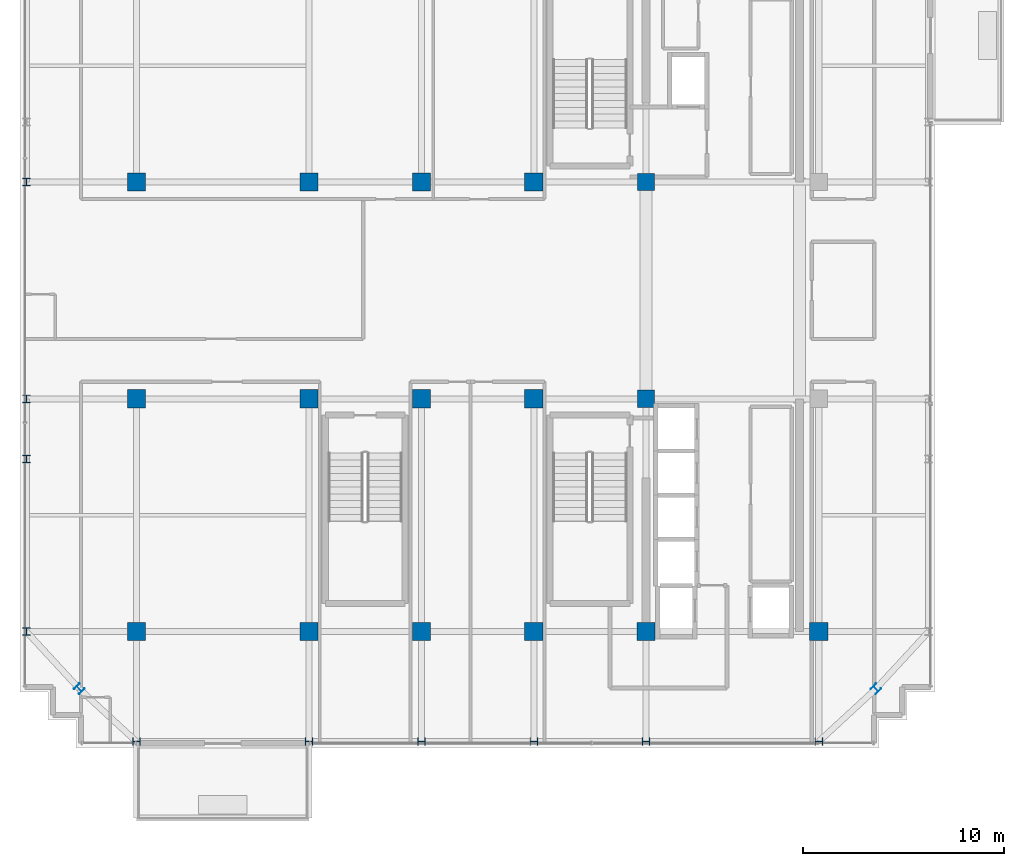
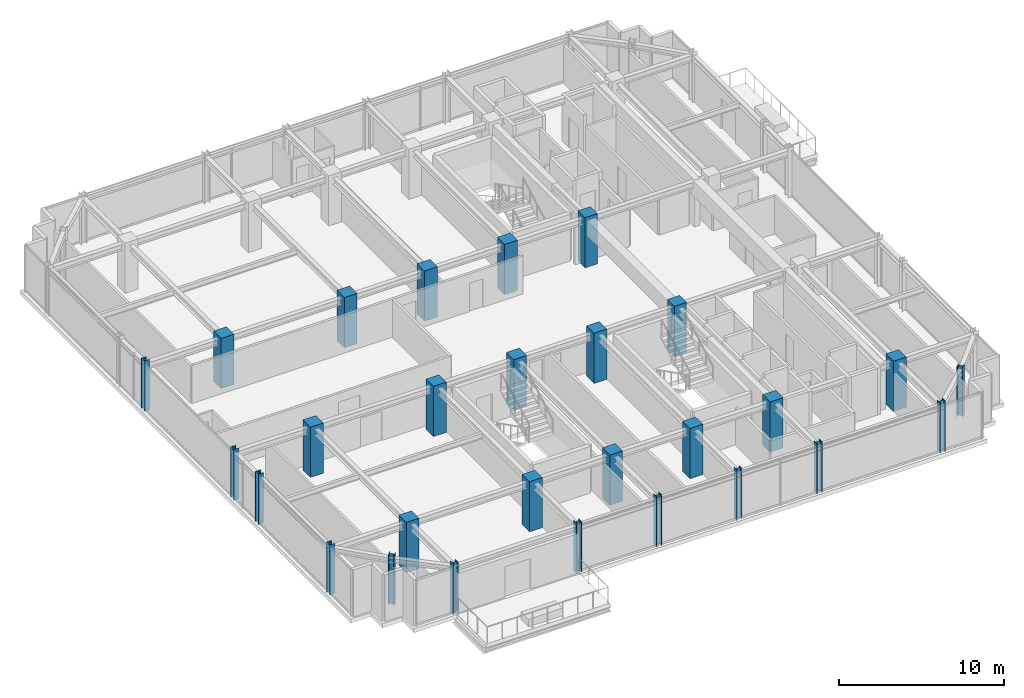
# One storey, part 1 of 32: 28 columns.
"""IFC4 building model written with IfcOpenShell, lengths in metres."""

import ifcopenshell
import ifcopenshell.guid

model = None  # the IFC model being written
_history = None  # IfcOwnerHistory: only IFC2X3 demands one
_inside = {}  # id of a spatial element -> (the spatial element, [elements in it])
_under = {}  # id of a project, library or spatial element -> (it, [spatial elements below it])
_declared = {}  # id of a project -> (the project, [libraries it declares])
_typed = {}  # id of a type object -> (the type object, [elements of that type])
_made_of = {}  # id of a material, layer set ... -> (it, [elements and type objects made of it])


def new_model(schema):
    """Start an empty IFC model of exactly this schema.

    Asked for "IFC4X3", IfcOpenShell would pick the latest addendum, in which some entities
    have other attributes; the version numbers below select the first issue.
    IFC2X3 requires an IfcOwnerHistory on every rooted entity: one is made here for all.
    """
    global model, _history
    if schema == "IFC4X3":
        model = ifcopenshell.file(schema_version=(4, 3, 0, 0))
    else:
        model = ifcopenshell.file(schema=schema)
    _inside.clear()
    _under.clear()
    _declared.clear()
    _typed.clear()
    _made_of.clear()
    _history = None
    if model.schema == "IFC2X3":
        org = make("IfcOrganization", Name="unknown")
        user = make(
            "IfcPersonAndOrganization",
            ThePerson=make("IfcPerson", FamilyName="unknown"),
            TheOrganization=org,
        )
        app = make(
            "IfcApplication",
            ApplicationDeveloper=org,
            Version="unknown",
            ApplicationFullName="unknown",
            ApplicationIdentifier="unknown",
        )
        _history = make(
            "IfcOwnerHistory",
            OwningUser=user,
            OwningApplication=app,
            ChangeAction="ADDED",
            CreationDate=0,
        )
    return model


def make(cls, **values):
    """One entity of the class cls with the attributes given. An attribute that is None is left unset."""
    return model.create_entity(
        cls, **{name: value for name, value in values.items() if value is not None}
    )


def rooted(cls, **values):
    """An entity with a GlobalId (a new one), such as an element, a storey or a relation."""
    return make(cls, GlobalId=ifcopenshell.guid.new(), OwnerHistory=_history, **values)


def si_unit(unit_type, name, prefix=None):
    """IfcSIUnit, for example si_unit("LENGTHUNIT", "METRE", prefix="MILLI")."""
    return make("IfcSIUnit", UnitType=unit_type, Prefix=prefix, Name=name)


def assignment(units):
    """IfcUnitAssignment: the units of a project."""
    return None if units is None else make("IfcUnitAssignment", Units=units)


def point(xyz):
    """IfcCartesianPoint."""
    return None if xyz is None else make("IfcCartesianPoint", Coordinates=xyz)


def direction(xyz):
    """IfcDirection."""
    return None if xyz is None else make("IfcDirection", DirectionRatios=xyz)


def frame(location, z_axis=None, x_axis=None):
    """IfcAxis2Placement3D, a coordinate frame: its origin and axes. An axis left out is left unset."""
    return make(
        "IfcAxis2Placement3D",
        Location=point(location),
        Axis=direction(z_axis),
        RefDirection=direction(x_axis),
    )


def frame_2d(location, x_axis=None):
    """IfcAxis2Placement2D, a coordinate frame in the plane: its origin and x axis."""
    return make(
        "IfcAxis2Placement2D", Location=point(location), RefDirection=direction(x_axis)
    )


def origin():
    """The frame at (0, 0, 0) with its axes left unset."""
    return frame((0.0, 0.0, 0.0))


def origin_2d():
    """The frame at (0, 0) in the plane with its x axis left unset."""
    return frame_2d((0.0, 0.0))


def place(relative_to, where):
    """IfcLocalPlacement: puts the frame where relative to a parent placement (None: the world)."""
    return make(
        "IfcLocalPlacement", PlacementRelTo=relative_to, RelativePlacement=where
    )


def context(
    kind, dimensions, precision=None, world=None, true_north=None, identifier=None
):
    """IfcGeometricRepresentationContext, for example the 3D "Model" context."""
    return make(
        "IfcGeometricRepresentationContext",
        ContextIdentifier=identifier,
        ContextType=kind,
        CoordinateSpaceDimension=dimensions,
        Precision=precision,
        WorldCoordinateSystem=world,
        TrueNorth=true_north,
    )


def subcontext(parent, identifier, kind, view, scale=None):
    """IfcGeometricRepresentationSubContext, for example "Body" below "Model"."""
    return make(
        "IfcGeometricRepresentationSubContext",
        ContextIdentifier=identifier,
        ContextType=kind,
        ParentContext=parent,
        TargetScale=scale,
        TargetView=view,
    )


def project(units=None, contexts=None):
    """IfcProject with its units and contexts."""
    return rooted(
        "IfcProject",
        Name="project",
        RepresentationContexts=contexts,
        UnitsInContext=assignment(units),
    )


def spatial(cls, under=None, at=None, **own):
    """A site, building, storey or space (cls), placed at a placement, below another one or the project."""
    s = rooted(cls, ObjectPlacement=at, **own)
    if under is not None:
        _under.setdefault(under.id(), (under, []))[1].append(s)
    return s


def profile(cls, at=None, kind="AREA", **sizes):
    """A parametric profile (cls). Its sizes go by their IFC names, for example OverallWidth=200.0."""
    return make(cls, ProfileType=kind, Position=at, **sizes)


def rectangle(**sizes):
    """IfcRectangleProfileDef."""
    return profile("IfcRectangleProfileDef", **sizes)


def i_section(**sizes):
    """IfcIShapeProfileDef."""
    return profile("IfcIShapeProfileDef", **sizes)


def extrude(swept, where, along, depth):
    """IfcExtrudedAreaSolid: the profile swept, set in the frame where, extruded along a direction by depth."""
    return make(
        "IfcExtrudedAreaSolid",
        SweptArea=swept,
        Position=where,
        ExtrudedDirection=direction(along),
        Depth=depth,
    )


def shape(context_of_items, identifier, shape_type, items):
    """IfcShapeRepresentation: the items that make up one representation, for example the "Body"."""
    return make(
        "IfcShapeRepresentation",
        ContextOfItems=context_of_items,
        RepresentationIdentifier=identifier,
        RepresentationType=shape_type,
        Items=items,
    )


def source(mapping_origin, context_of_items, identifier, shape_type, items):
    """IfcRepresentationMap: a shape defined once, which mapped items show again and again."""
    return make(
        "IfcRepresentationMap",
        MappingOrigin=mapping_origin,
        MappedRepresentation=shape(context_of_items, identifier, shape_type, items),
    )


def transform(
    local_origin,
    x_axis=None,
    y_axis=None,
    z_axis=None,
    scale=None,
    scale2=None,
    scale3=None,
    uniform=True,
):
    """IfcCartesianTransformationOperator3D, or its non-uniform kind. x_axis, y_axis, z_axis: its Axis1, 2, 3."""
    if uniform:
        return make(
            "IfcCartesianTransformationOperator3D",
            Axis1=direction(x_axis),
            Axis2=direction(y_axis),
            LocalOrigin=point(local_origin),
            Scale=scale,
            Axis3=direction(z_axis),
        )
    return make(
        "IfcCartesianTransformationOperator3DnonUniform",
        Axis1=direction(x_axis),
        Axis2=direction(y_axis),
        LocalOrigin=point(local_origin),
        Scale=scale,
        Axis3=direction(z_axis),
        Scale2=scale2,
        Scale3=scale3,
    )


def mapped(mapping_source, mapping_target):
    """IfcMappedItem: shows the shape of a source again, moved by a transform."""
    return make(
        "IfcMappedItem", MappingSource=mapping_source, MappingTarget=mapping_target
    )


def material(Name=None, Category=None):
    """IfcMaterial."""
    return make("IfcMaterial", Name=Name, Category=Category)


def material_profile(
    of_material, cross_section, Name=None, Category=None, Priority=None
):
    """IfcMaterialProfile: a cross section and its material."""
    return make(
        "IfcMaterialProfile",
        Name=Name,
        Material=of_material,
        Profile=cross_section,
        Priority=Priority,
        Category=Category,
    )


def profile_set(profiles, Name=None, composite=None):
    """IfcMaterialProfileSet."""
    return make(
        "IfcMaterialProfileSet",
        Name=Name,
        MaterialProfiles=profiles,
        CompositeProfile=composite,
    )


def made_of(thing, what):
    """Note that an element or type object is made of a material, layer set ...; save() writes the relation."""
    if what is not None:
        _made_of.setdefault(what.id(), (what, []))[1].append(thing)
    return thing


def type_object(cls, material=None, **own):
    """A type object (cls), such as IfcWallType, which elements share."""
    return made_of(rooted(cls, **own), material)


def element(
    cls,
    number,
    at=None,
    inside=None,
    cuts=None,
    type_object=None,
    material=None,
    context=None,
    identifier="Body",
    shape_type=None,
    held_by="IfcProductDefinitionShape",
    body=None,
    shapes=None,
    **own,
):
    """One element of the class cls, such as IfcWall. Its Tag is "e" and its number.

    at: its placement. inside: the storey or other place that contains it. cuts: it is an
    opening in that element (IfcRelVoidsElement). A single representation is given by context,
    identifier, shape_type and body (its items); several are given by shapes. held_by: the class
    of the entity that holds the representations. save() writes the other relations.
    """
    e = rooted(cls, Tag="e%d" % number, ObjectPlacement=at, **own)
    if body is not None:
        shapes = [shape(context, identifier, shape_type, body)]
    if shapes is not None:
        e.Representation = make(held_by, Representations=shapes)
    if inside is not None:
        _inside.setdefault(inside.id(), (inside, []))[1].append(e)
    if cuts is not None:
        rooted(
            "IfcRelVoidsElement", RelatingBuildingElement=cuts, RelatedOpeningElement=e
        )
    if type_object is not None:
        _typed.setdefault(type_object.id(), (type_object, []))[1].append(e)
    return made_of(e, material)


def aggregate(whole, parts):
    """IfcRelAggregates: a whole, such as a stair, and the parts it consists of."""
    return rooted("IfcRelAggregates", RelatingObject=whole, RelatedObjects=parts)


def save(model, path):
    """Write the relations noted so far, then the file.

    IfcRelAggregates (storeys below a building ...), IfcRelContainedInSpatialStructure (elements
    in a storey), IfcRelDefinesByType, IfcRelAssociatesMaterial and IfcRelDeclares: one each for
    every whole, place, type object, material and project.
    """
    for whole, parts in _under.values():
        aggregate(whole, parts)
    for where, things in _inside.values():
        rooted(
            "IfcRelContainedInSpatialStructure",
            RelatedElements=things,
            RelatingStructure=where,
        )
    for kind, things in _typed.values():
        rooted("IfcRelDefinesByType", RelatedObjects=things, RelatingType=kind)
    for what, things in _made_of.values():
        rooted("IfcRelAssociatesMaterial", RelatedObjects=things, RelatingMaterial=what)
    for by, libraries in _declared.values():
        rooted("IfcRelDeclares", RelatingContext=by, RelatedDefinitions=libraries)
    model.write(path)


model = new_model("IFC4")

# Units and contexts
model_context = context("Model", 3, precision=1e-05, world=origin(), true_north=direction((0.0, 1.0)))
body_context = subcontext(model_context, "Body", "Model", "MODEL_VIEW")
ifc_project = project(units=[si_unit("LENGTHUNIT", "METRE"), si_unit("AREAUNIT", "SQUARE_METRE"), si_unit("VOLUMEUNIT", "CUBIC_METRE"), si_unit("PLANEANGLEUNIT", "RADIAN"), si_unit("MASSUNIT", "GRAM", prefix="KILO")], contexts=[model_context])

# Site, building, storey
site_placement = place(None, origin())
site = spatial("IfcSite", under=ifc_project, at=site_placement, CompositionType="ELEMENT")
building_placement = place(site_placement, origin())
building = spatial("IfcBuilding", under=site, at=building_placement, Name="Nahalor Promenade Grand Hotel", CompositionType="ELEMENT")
storey_placement = place(building_placement, frame((0.0, 0.0, 285.050048828125)))
storey = spatial("IfcBuildingStorey", under=building, at=storey_placement, Name="L73", CompositionType="ELEMENT", Elevation=285.050048828125)

# Columns
ifc_material_1 = material(Name="Concrete B-50 (C40/50)", Category="concrete")
ifc_material_profile_1 = material_profile(ifc_material_1, rectangle(XDim=0.9, YDim=0.9, at=origin_2d()), Name="RC 900x900")
ifc_profile_set_1 = profile_set([ifc_material_profile_1], Name="Concrete B-50 (C40/50)")
column_type_1 = type_object("IfcColumnType", Name="Col-RC-900", PredefinedType="COLUMN", material=ifc_profile_set_1)
shared_shape_1 = source(origin(), body_context, "Body", "SweptSolid", [
    extrude(rectangle(XDim=0.9, YDim=0.9, at=origin_2d()), origin(), (0.0, 0.0, 1.0), 3.704833984375),
])
for number, where, z_axis, x_axis, name in (
    (1, (-17.0, -17.0, 0.0), (0.0, 0.0, 1.0), (1.0, 0.0, 0.0), "COL-L73-I00"),
    (2, (-17.0, -5.39990234375, 0.0), (0.0, 0.0, 1.0), (1.0, 0.0, 0.0), "COL-L73-I01"),
    (3, (-17.0, 5.39990234375, 0.0), (0.0, 0.0, 1.0), (1.0, 0.0, 0.0), "COL-L73-I02"),
    (4, (-8.39990234375, -17.0, 0.0), (0.0, 0.0, 1.0), (1.0, 0.0, 0.0), "COL-L73-I10"),
    (5, (-8.39990234375, -5.39990234375, 0.0), (0.0, 0.0, 1.0), (1.0, 0.0, 0.0), "COL-L73-I11"),
    (6, (-8.39990234375, 5.39990234375, 0.0), (0.0, 0.0, 1.0), (1.0, 0.0, 0.0), "COL-L73-I12"),
    (7, (-2.800048828125, -17.0, 0.0), (0.0, 0.0, 1.0), (1.0, 0.0, 0.0), "COL-L73-I20"),
    (8, (-2.800048828125, -5.39990234375, 0.0), (0.0, 0.0, 1.0), (1.0, 0.0, 0.0), "COL-L73-I21"),
    (9, (-2.800048828125, 5.39990234375, 0.0), (0.0, 0.0, 1.0), (1.0, 0.0, 0.0), "COL-L73-I22"),
    (10, (2.800048828125, -17.0, 0.0), (0.0, 0.0, 1.0), (1.0, 0.0, 0.0), "COL-L73-I30"),
    (11, (2.800048828125, -5.39990234375, 0.0), (0.0, 0.0, 1.0), (1.0, 0.0, 0.0), "COL-L73-I31"),
    (12, (2.800048828125, 5.39990234375, 0.0), (0.0, 0.0, 1.0), (1.0, 0.0, 0.0), "COL-L73-I32"),
    (13, (8.39990234375, -17.0, 0.0), (0.0, 0.0, 1.0), (1.0, 0.0, 0.0), "COL-L73-I40"),
    (14, (17.0, -17.0, 0.0), (0.0, 0.0, 1.0), (1.0, 0.0, 0.0), "COL-L73-I50"),
):
    element("IfcColumn", number, at=place(storey_placement, frame(where, z_axis=z_axis, x_axis=x_axis)), inside=storey, type_object=column_type_1, Name=name, PredefinedType="COLUMN", context=body_context, shape_type="MappedRepresentation", body=[
        mapped(shared_shape_1, transform((0.0, 0.0, 0.0), scale=1.0)),
    ])
ifc_material_2 = material(Name="Concrete B-70 (C60/75)", Category="concrete")
ifc_material_profile_2 = material_profile(ifc_material_2, rectangle(XDim=0.85, YDim=0.85, at=origin_2d()), Name="RC 850x850")
ifc_profile_set_2 = profile_set([ifc_material_profile_2], Name="Concrete B-70 (C60/75)")
column_type_2 = type_object("IfcColumnType", Name="Col-Pilaster-850", PredefinedType="PILASTER", material=ifc_profile_set_2)
shared_shape_2 = source(origin(), body_context, "Body", "SweptSolid", [
    extrude(rectangle(XDim=0.85, YDim=0.85, at=origin_2d()), origin(), (0.0, 0.0, 1.0), 3.704833984375),
])
for number, where, z_axis, x_axis, name in (
    (15, (8.39990234375, -5.39990234375, 0.0), (0.0, 0.0, 1.0), (1.0, 0.0, 0.0), "COL-L73-I41"),
    (16, (8.39990234375, 5.39990234375, 0.0), (0.0, 0.0, 1.0), (1.0, 0.0, 0.0), "COL-L73-I42"),
):
    element("IfcColumn", number, at=place(storey_placement, frame(where, z_axis=z_axis, x_axis=x_axis)), inside=storey, type_object=column_type_2, Name=name, PredefinedType="PILASTER", context=body_context, shape_type="MappedRepresentation", body=[
        mapped(shared_shape_2, transform((0.0, 0.0, 0.0), scale=1.0)),
    ])
ifc_material_3 = material(Name="Steel S355JR", Category="steel")
ifc_material_profile_3 = material_profile(ifc_material_3, i_section(OverallWidth=0.374, OverallDepth=0.374, WebThickness=0.0144, FlangeThickness=0.0229, at=origin_2d()), Name="HD 360x262")
ifc_profile_set_3 = profile_set([ifc_material_profile_3], Name="Steel S355JR")
column_type_3 = type_object("IfcColumnType", Name="Col-Steel-HD262", PredefinedType="COLUMN", material=ifc_profile_set_3)
shared_shape_3 = source(origin(), body_context, "Body", "SweptSolid", [
    extrude(i_section(OverallWidth=0.374, OverallDepth=0.374, WebThickness=0.0144, FlangeThickness=0.0229, at=origin_2d()), origin(), (0.0, 0.0, 1.0), 3.704833984375),
])
for number, where, z_axis, x_axis, name in (
    (17, (-22.47998046875, -17.0, 0.0), (0.0, 0.0, 1.0), (1.0, 0.0, 0.0), "COL-L73-PW-W0"),
    (18, (-22.47998046875, -8.39990234375, 0.0), (0.0, 0.0, 1.0), (1.0, 0.0, 0.0), "COL-L73-PW-W1"),
    (19, (-22.47998046875, -5.39990234375, 0.0), (0.0, 0.0, 1.0), (1.0, 0.0, 0.0), "COL-L73-PW-W2"),
    (20, (-22.47998046875, 5.39990234375, 0.0), (0.0, 0.0, 1.0), (1.0, 0.0, 0.0), "COL-L73-PW-W3"),
    (21, (-17.0, -22.47998046875, 0.0), (0.0, 0.0, 1.0), (0.0, 1.0, 0.0), "COL-L73-PN-S0"),
    (22, (-8.39990234375, -22.47998046875, 0.0), (0.0, 0.0, 1.0), (0.0, 1.0, 0.0), "COL-L73-PN-S1"),
    (23, (-2.800048828125, -22.47998046875, 0.0), (0.0, 0.0, 1.0), (0.0, 1.0, 0.0), "COL-L73-PN-S2"),
    (24, (2.800048828125, -22.47998046875, 0.0), (0.0, 0.0, 1.0), (0.0, 1.0, 0.0), "COL-L73-PN-S3"),
    (25, (8.39990234375, -22.47998046875, 0.0), (0.0, 0.0, 1.0), (0.0, 1.0, 0.0), "COL-L73-PN-S4"),
    (26, (17.0, -22.47998046875, 0.0), (0.0, 0.0, 1.0), (0.0, 1.0, 0.0), "COL-L73-PN-S5"),
    (27, (-19.85009765625, -19.85009765625, 0.0), (0.0, 0.0, 1.0), (0.707106781187, 0.707106781187, 0.0), "COL-L73-CRN-SW"),
    (28, (19.85009765625, -19.85009765625, 0.0), (0.0, 0.0, 1.0), (0.707106781187, 0.707106781187, 0.0), "COL-L73-CRN-SE"),
):
    element("IfcColumn", number, at=place(storey_placement, frame(where, z_axis=z_axis, x_axis=x_axis)), inside=storey, type_object=column_type_3, Name=name, PredefinedType="COLUMN", context=body_context, shape_type="MappedRepresentation", body=[
        mapped(shared_shape_3, transform((0.0, 0.0, 0.0), scale=1.0)),
    ])

save(model, "model.ifc")
